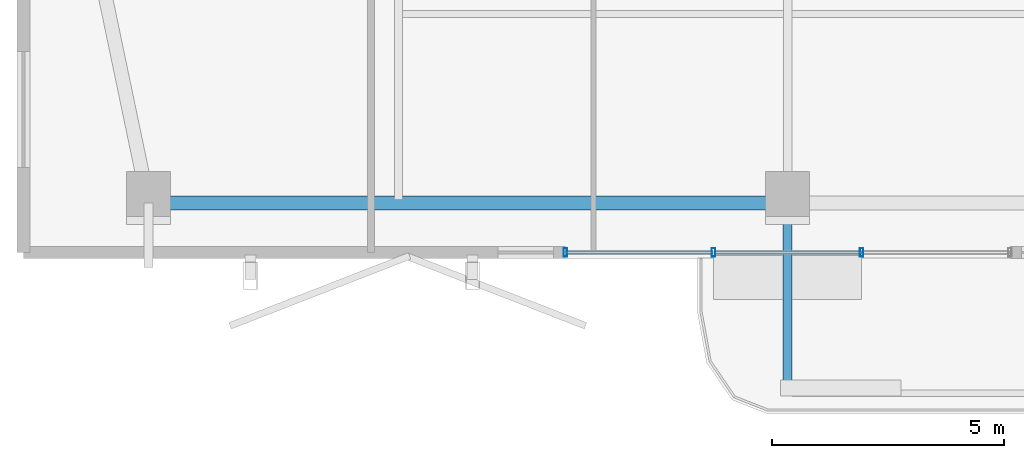
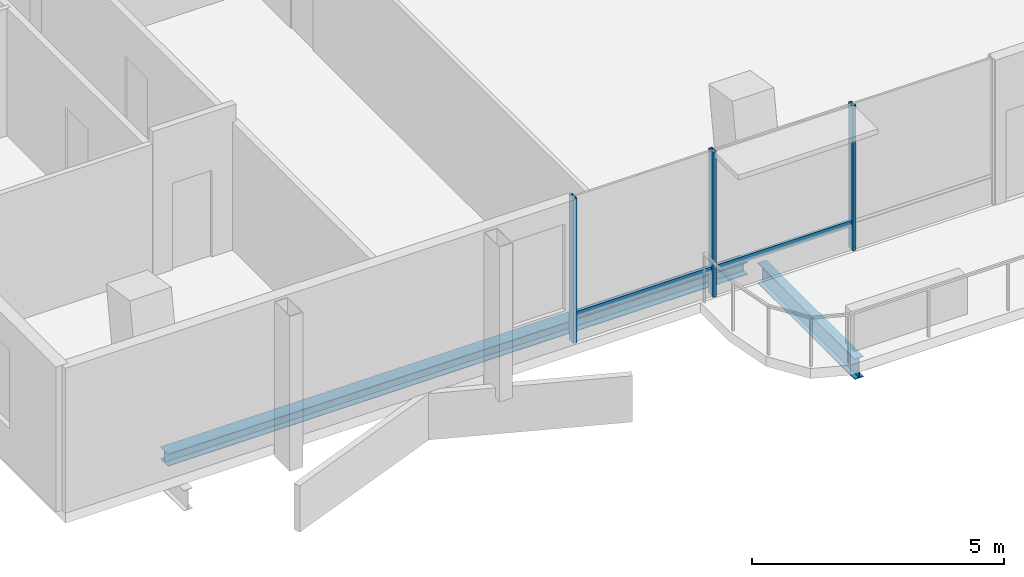
# One storey, part 3 of 20: 5 members, 2 beams, 1 element without a shape of its own.
"""IFC4 building model written with IfcOpenShell, lengths in metres."""

from ifc_helpers import new_model, si_unit, direction, frame, origin, origin_2d, place, context, subcontext, project, spatial, hollow_rectangle, i_section, extrude, material, layer, layer_set, material_profile, profile_set, type_object, element, aggregate, save


model = new_model("IFC4")

# Units and contexts
model_context = context("Model", 3, precision=1e-05, world=origin(), true_north=direction((0.0, 1.0)))
body_context = subcontext(model_context, "Body", "Model", "MODEL_VIEW")
ifc_project = project(units=[si_unit("LENGTHUNIT", "METRE"), si_unit("AREAUNIT", "SQUARE_METRE"), si_unit("VOLUMEUNIT", "CUBIC_METRE"), si_unit("PLANEANGLEUNIT", "RADIAN"), si_unit("MASSUNIT", "GRAM", prefix="KILO")], contexts=[model_context])

# Site, building, storey
site_placement = place(None, origin())
site = spatial("IfcSite", under=ifc_project, at=site_placement, CompositionType="ELEMENT")
building_placement = place(site_placement, origin())
building = spatial("IfcBuilding", under=site, at=building_placement, Name="Belovzor Exchange Tower", CompositionType="ELEMENT")
storey_placement = place(building_placement, frame((0.0, 0.0, 329.25)))
storey = spatial("IfcBuildingStorey", under=building, at=storey_placement, Name="L82", CompositionType="ELEMENT", Elevation=329.25)

# Beam
ifc_material_1 = material(Name="Steel S355", Category="steel")
ifc_material_profile_1 = material_profile(ifc_material_1, i_section(OverallWidth=0.199951171875, OverallDepth=0.5, WebThickness=0.01025390625, FlangeThickness=0.01611328125, at=origin_2d()))
ifc_profile_set_1 = profile_set([ifc_material_profile_1], Name="Steel S355")
beam_type_1 = type_object("IfcBeamType", Name="Planted Balcony Cantilever Beam IPE 500", PredefinedType="BEAM", material=ifc_profile_set_1)
beam_1_placement = place(storey_placement, frame((28.800048828125, 6.93896484375, -0.489990234375), z_axis=(0.0, -1.0, 0.0), x_axis=(1.0, 0.0, 0.0)))
element("IfcBeam", 1, at=beam_1_placement, inside=storey, type_object=beam_type_1, Name="BC-500 Planted Balcony Cantilever Beam IPE 500", PredefinedType="BEAM", context=body_context, shape_type="SweptSolid", body=[
    extrude(i_section(OverallWidth=0.199951171875, OverallDepth=0.5, WebThickness=0.01025390625, FlangeThickness=0.01611328125, at=origin_2d()), origin(), (0.0, 0.0, 1.0), 3.849853515625),
])

# Curtain wall, members
ifc_material_2 = material(Name="Anodised Aluminium Framing", Category="aluminium")
ifc_layer = layer(ifc_material_2, 0.179931640625)
ifc_layer_set = layer_set([ifc_layer], Name="Anodised Aluminium Framing")
curtain_wall_type = type_object("IfcCurtainWallType", Name="Recessed Loggia Low-Iron Triple-Glazed Curtain Wall", PredefinedType="NOTDEFINED", material=ifc_layer_set)
curtain_wall_placement = place(storey_placement, origin())
curtain_wall = element("IfcCurtainWall", 2, at=curtain_wall_placement, inside=storey, type_object=curtain_wall_type, Name="CW3 Recessed Loggia Low-Iron Triple-Glazed Curtain Wall L82", PredefinedType="NOTDEFINED")
ifc_material_3 = material(Name="Steel S355", Category="steel")
ifc_material_profile_2 = material_profile(ifc_material_3, hollow_rectangle(XDim=0.074951171875, YDim=0.179931640625, WallThickness=0.0048828125, at=origin_2d()))
ifc_profile_set_2 = profile_set([ifc_material_profile_2], Name="Steel S355")
member_type_1 = type_object("IfcMemberType", Name="Thermally Broken Curtain Wall Mullion 180x75", PredefinedType="MULLION", material=ifc_profile_set_2)
member_1_placement = place(storey_placement, frame((30.39990234375, 6.1298828125, 0.0), z_axis=(0.0, 0.0, 1.0), x_axis=(-1.0, 0.0, 0.0)))
member_1 = element("IfcMember", 3, at=member_1_placement, type_object=member_type_1, Name="CW-M180 Curtain Wall Mullion 2", PredefinedType="MULLION", context=body_context, shape_type="SweptSolid", body=[
    extrude(hollow_rectangle(XDim=0.074951171875, YDim=0.179931640625, WallThickness=0.0048828125, at=origin_2d()), origin(), (0.0, 0.0, 1.0), 3.510009765625),
])
member_2_placement = place(storey_placement, frame((27.199951171875, 6.1298828125, 0.0), z_axis=(0.0, 0.0, 1.0), x_axis=(-1.0, 0.0, 0.0)))
member_2 = element("IfcMember", 4, at=member_2_placement, type_object=member_type_1, Name="CW-M180 Curtain Wall Mullion 3", PredefinedType="MULLION", context=body_context, shape_type="SweptSolid", body=[
    extrude(hollow_rectangle(XDim=0.074951171875, YDim=0.179931640625, WallThickness=0.0048828125, at=origin_2d()), origin(), (0.0, 0.0, 1.0), 3.510009765625),
])
member_3_placement = place(storey_placement, frame((24.0, 6.1298828125, 0.0), z_axis=(0.0, 0.0, 1.0), x_axis=(-1.0, 0.0, 0.0)))
member_3 = element("IfcMember", 5, at=member_3_placement, type_object=member_type_1, Name="CW-M180 Curtain Wall Mullion 4", PredefinedType="MULLION", context=body_context, shape_type="SweptSolid", body=[
    extrude(hollow_rectangle(XDim=0.074951171875, YDim=0.179931640625, WallThickness=0.0048828125, at=origin_2d()), origin(), (0.0, 0.0, 1.0), 3.510009765625),
])
ifc_material_4 = material(Name="Steel S355", Category="steel")
ifc_material_profile_3 = material_profile(ifc_material_4, hollow_rectangle(XDim=0.06005859375, YDim=0.14990234375, WallThickness=0.00390625, at=origin_2d()))
ifc_profile_set_3 = profile_set([ifc_material_profile_3], Name="Steel S355")
member_type_2 = type_object("IfcMemberType", Name="Thermally Broken Curtain Wall Transom 150x60", PredefinedType="USERDEFINED", material=ifc_profile_set_3)
member_4_placement = place(storey_placement, frame((30.39208984375, 6.1298828125, 0.632080078125), z_axis=(-1.0, 0.0, 0.0), x_axis=(0.0, -1.0, 0.0)))
member_4 = element("IfcMember", 6, at=member_4_placement, type_object=member_type_2, Name="CW-T150 Curtain Wall Transom 2", ObjectType="TRANSOM", PredefinedType="USERDEFINED", context=body_context, shape_type="SweptSolid", body=[
    extrude(hollow_rectangle(XDim=0.06005859375, YDim=0.14990234375, WallThickness=0.00390625, at=origin_2d()), origin(), (0.0, 0.0, 1.0), 3.18408203125),
])
member_5_placement = place(storey_placement, frame((27.19189453125, 6.1298828125, 0.632080078125), z_axis=(-1.0, 0.0, 0.0), x_axis=(0.0, -1.0, 0.0)))
member_5 = element("IfcMember", 7, at=member_5_placement, type_object=member_type_2, Name="CW-T150 Curtain Wall Transom 3", ObjectType="TRANSOM", PredefinedType="USERDEFINED", context=body_context, shape_type="SweptSolid", body=[
    extrude(hollow_rectangle(XDim=0.06005859375, YDim=0.14990234375, WallThickness=0.00390625, at=origin_2d()), origin(), (0.0, 0.0, 1.0), 3.183837890625),
])
aggregate(curtain_wall, [member_1, member_2, member_3, member_4, member_5])

# Beam
ifc_material_5 = material(Name="Steel S355", Category="steel")
ifc_material_profile_4 = material_profile(ifc_material_5, i_section(OverallWidth=0.300048828125, OverallDepth=0.300048828125, WebThickness=0.008544921875, FlangeThickness=0.013916015625, at=origin_2d()))
ifc_profile_set_4 = profile_set([ifc_material_profile_4], Name="Steel S355")
beam_type_2 = type_object("IfcBeamType", Name="Zone 6 Primary Girder HEA 300", PredefinedType="BEAM", material=ifc_profile_set_4)
beam_2_placement = place(storey_placement, frame((15.260986328125, 7.199951171875, -0.389892578125), z_axis=(1.0, 0.0, 0.0), x_axis=(0.0, 1.0, 0.0)))
element("IfcBeam", 8, at=beam_2_placement, inside=storey, type_object=beam_type_2, Name="FG-Z6 Zone 6 Primary Girder HEA 300", PredefinedType="BEAM", context=body_context, shape_type="SweptSolid", body=[
    extrude(i_section(OverallWidth=0.300048828125, OverallDepth=0.300048828125, WebThickness=0.008544921875, FlangeThickness=0.013916015625, at=origin_2d()), origin(), (0.0, 0.0, 1.0), 13.278076171875),
])

save(model, "model.ifc")
